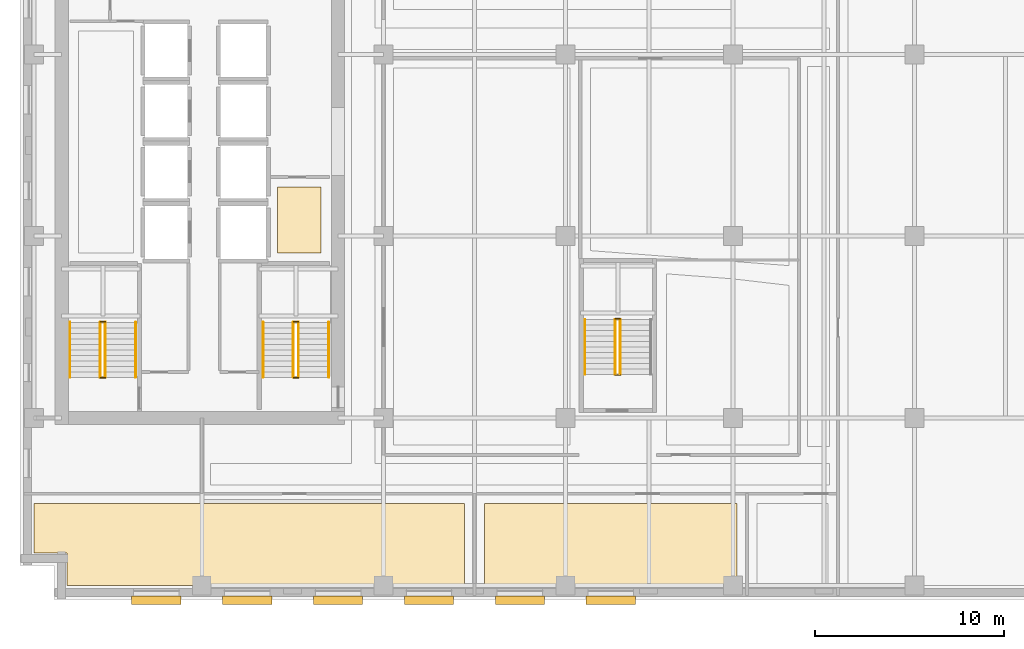
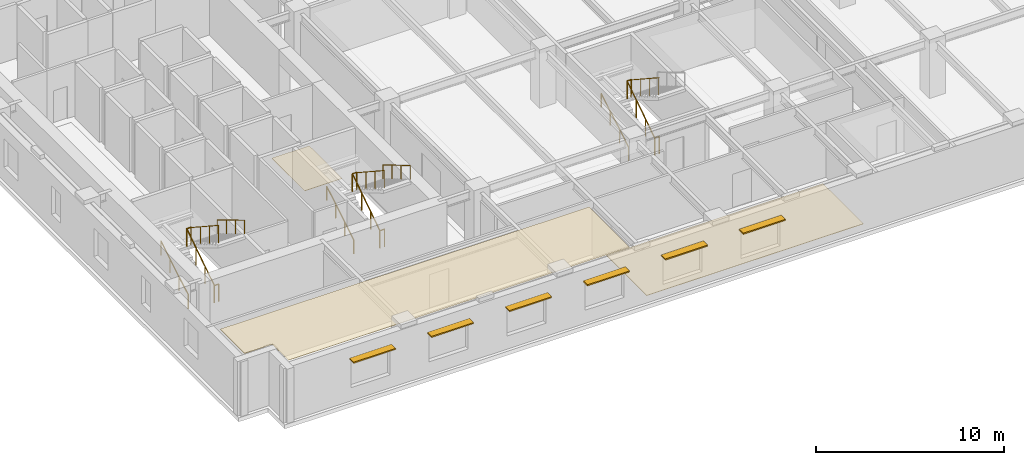
# One storey, part 8 of 12: 17 railings, 6 shading devices, 3 coverings.
"""IFC4 building model written with IfcOpenShell, lengths in metres."""

from ifc_helpers import new_model, si_unit, direction, frame, origin, origin_2d, place, context, subcontext, project, spatial, polyline, rectangle, circle, outline, extrude, material, layer, layer_set, type_object, element, save


model = new_model("IFC4")

# Units and contexts
model_context = context("Model", 3, precision=1e-05, world=origin(), true_north=direction((0.0, 1.0)))
body_context = subcontext(model_context, "Body", "Model", "MODEL_VIEW")
ifc_project = project(units=[si_unit("LENGTHUNIT", "METRE"), si_unit("AREAUNIT", "SQUARE_METRE"), si_unit("VOLUMEUNIT", "CUBIC_METRE"), si_unit("PLANEANGLEUNIT", "RADIAN"), si_unit("MASSUNIT", "GRAM", prefix="KILO")], contexts=[model_context])

# Site, building, storey
site_placement = place(None, origin())
site = spatial("IfcSite", under=ifc_project, at=site_placement, CompositionType="ELEMENT")
building_placement = place(site_placement, origin())
building = spatial("IfcBuilding", under=site, at=building_placement, Name="Norrvale University Quadrangle", CompositionType="ELEMENT")
storey_placement = place(building_placement, frame((0.0, 0.0, 135.60009765625)))
storey = spatial("IfcBuildingStorey", under=building, at=storey_placement, Name="L34", CompositionType="ELEMENT", Elevation=135.60009765625)

# Coverings
ifc_material_1 = material(Name="Perforated Acoustic Mineral Ceiling")
ifc_layer_1 = layer(ifc_material_1, 0.02490234375, Name="Perforated Acoustic Mineral Ceiling")
ifc_layer_set_1 = layer_set([ifc_layer_1], Name="Perforated Acoustic Mineral Ceiling")
covering_type_1 = type_object("IfcCoveringType", Name="Covering Acoustic Ceiling 25", PredefinedType="CEILING", material=ifc_layer_set_1)
covering_1_placement = place(storey_placement, frame((0.0, 0.0, 3.514892578125)))
element("IfcCovering", 1, at=covering_1_placement, inside=storey, type_object=covering_type_1, Name="Acoustic Ceiling RM-L34-S01", PredefinedType="CEILING", context=body_context, shape_type="SweptSolid", body=[
    extrude(outline(polyline([(0.75, 5.070068359375), (23.469970703125, 5.070068359375), (23.469970703125, 0.75), (2.469970703125, 0.75), (2.469970703125, 2.469970703125), (0.75, 2.469970703125), (0.75, 5.070068359375)])), origin(), (0.0, 0.0, 1.0), 0.02490234375),
])
ifc_material_2 = material(Name="Polished Terrazzo Flooring")
ifc_layer_2 = layer(ifc_material_2, 0.02490234375, Name="Polished Terrazzo Flooring")
ifc_layer_set_2 = layer_set([ifc_layer_2], Name="Polished Terrazzo Flooring")
covering_type_2 = type_object("IfcCoveringType", Name="Covering Terrazzo Floor 30", PredefinedType="FLOORING", material=ifc_layer_set_2)
covering_2_placement = place(storey_placement, origin())
element("IfcCovering", 2, at=covering_2_placement, inside=storey, type_object=covering_type_2, Name="Terrazzo Flooring RM-L34-JAN", PredefinedType="FLOORING", context=body_context, shape_type="SweptSolid", body=[
    extrude(outline(polyline([(13.60009765625, 18.300048828125), (13.60009765625, 21.800048828125), (15.89990234375, 21.800048828125), (15.89990234375, 18.300048828125), (13.60009765625, 18.300048828125)])), origin(), (0.0, 0.0, 1.0), 0.02490234375),
])
covering_3_placement = place(storey_placement, origin())
element("IfcCovering", 3, at=covering_3_placement, inside=storey, type_object=covering_type_2, Name="Terrazzo Flooring RM-L34-S02", PredefinedType="FLOORING", context=body_context, shape_type="SweptSolid", body=[
    extrude(outline(polyline([(24.530029296875, 5.070068359375), (37.8701171875, 5.070068359375), (37.8701171875, 0.75), (24.530029296875, 0.75), (24.530029296875, 5.070068359375)])), origin(), (0.0, 0.0, 1.0), 0.02490234375),
])

# Railings
ifc_material_3 = material(Name="Steel 350W Painted Balustrade", Category="steel")
railing_type_1 = type_object("IfcRailingType", Name="Railing Stair Guard 1100", PredefinedType="GUARDRAIL", material=ifc_material_3)
for number, where, name in (
    (4, (4.239990234375, 11.719970703125, 0.0), "Stair Floor Well Guard ST-01 L34"),
    (5, (4.239990234375, 14.679931640625, 1.89990234375), "Stair Mid-Landing Slot Guard ST-01 L34"),
):
    element("IfcRailing", number, at=place(storey_placement, frame(where)), inside=storey, type_object=railing_type_1, Name=name, PredefinedType="GUARDRAIL", context=body_context, shape_type="SweptSolid", body=[
        extrude(circle(Radius=0.02392578125, at=origin_2d()), frame((0.0, 0.0, 1.1259765625), z_axis=(1.0, 0.0, 0.0), x_axis=(0.0, 1.0, 0.0)), (0.0, 0.0, 1.0), 0.27001953125),
        extrude(circle(Radius=0.02099609375, at=origin_2d()), origin(), (0.0, 0.0, 1.0), 1.101806640625),
        extrude(circle(Radius=0.02099609375, at=origin_2d()), frame((0.27001953125, 0.0, 0.0)), (0.0, 0.0, 1.0), 1.101806640625),
    ])
railing_1_placement = place(storey_placement, frame((4.239990234375, 11.75, 0.0)))
element("IfcRailing", 6, at=railing_1_placement, inside=storey, type_object=railing_type_1, Name="Stair Lower Flight Inner Guard ST-01 L34", PredefinedType="GUARDRAIL", context=body_context, shape_type="SweptSolid", body=[
    extrude(circle(Radius=0.02392578125, at=origin_2d()), frame((0.0, 0.0, 1.1259765625), z_axis=(0.0, 0.836465582154, 0.548019461216), x_axis=(-1.0, 0.0, 0.0)), (0.0, 0.0, 1.0), 3.466796875),
    extrude(circle(Radius=0.02099609375, at=origin_2d()), origin(), (0.0, 0.0, 1.0), 1.101806640625),
    extrude(circle(Radius=0.02099609375, at=origin_2d()), frame((0.0, 0.966552734375, 0.63330078125)), (0.0, 0.0, 1.0), 1.101806640625),
    extrude(circle(Radius=0.02099609375, at=origin_2d()), frame((0.0, 1.933349609375, 1.2666015625)), (0.0, 0.0, 1.0), 1.101806640625),
    extrude(circle(Radius=0.02099609375, at=origin_2d()), frame((0.0, 2.89990234375, 1.89990234375)), (0.0, 0.0, 1.0), 1.101806640625),
])
railing_2_placement = place(storey_placement, frame((4.510009765625, 14.64990234375, 1.89990234375)))
element("IfcRailing", 7, at=railing_2_placement, inside=storey, type_object=railing_type_1, Name="Stair Upper Flight Inner Guard ST-01 L34", PredefinedType="GUARDRAIL", context=body_context, shape_type="SweptSolid", body=[
    extrude(circle(Radius=0.02392578125, at=origin_2d()), frame((0.0, 0.0, 1.1259765625), z_axis=(0.0, -0.836465582154, 0.548019461216), x_axis=(1.0, 0.0, 0.0)), (0.0, 0.0, 1.0), 3.466796875),
    extrude(circle(Radius=0.02099609375, at=origin_2d()), origin(), (0.0, 0.0, 1.0), 1.101806640625),
    extrude(circle(Radius=0.02099609375, at=origin_2d()), frame((0.0, -0.966552734375, 0.63330078125)), (0.0, 0.0, 1.0), 1.101806640625),
    extrude(circle(Radius=0.02099609375, at=origin_2d()), frame((0.0, -1.933349609375, 1.2666015625)), (0.0, 0.0, 1.0), 1.101806640625),
    extrude(circle(Radius=0.02099609375, at=origin_2d()), frame((0.0, -2.89990234375, 1.89990234375)), (0.0, 0.0, 1.0), 1.101806640625),
])
for number, where, name in (
    (8, (14.43994140625, 11.719970703125, 0.0), "Stair Floor Well Guard ST-03 L34"),
    (9, (14.43994140625, 14.679931640625, 1.89990234375), "Stair Mid-Landing Slot Guard ST-03 L34"),
):
    element("IfcRailing", number, at=place(storey_placement, frame(where)), inside=storey, type_object=railing_type_1, Name=name, PredefinedType="GUARDRAIL", context=body_context, shape_type="SweptSolid", body=[
        extrude(circle(Radius=0.02392578125, at=origin_2d()), frame((0.0, 0.0, 1.1259765625), z_axis=(1.0, 0.0, 0.0), x_axis=(0.0, 1.0, 0.0)), (0.0, 0.0, 1.0), 0.27001953125),
        extrude(circle(Radius=0.02099609375, at=origin_2d()), origin(), (0.0, 0.0, 1.0), 1.101806640625),
        extrude(circle(Radius=0.02099609375, at=origin_2d()), frame((0.27001953125, 0.0, 0.0)), (0.0, 0.0, 1.0), 1.101806640625),
    ])
railing_3_placement = place(storey_placement, frame((14.43994140625, 11.75, 0.0)))
element("IfcRailing", 10, at=railing_3_placement, inside=storey, type_object=railing_type_1, Name="Stair Lower Flight Inner Guard ST-03 L34", PredefinedType="GUARDRAIL", context=body_context, shape_type="SweptSolid", body=[
    extrude(circle(Radius=0.02392578125, at=origin_2d()), frame((0.0, 0.0, 1.1259765625), z_axis=(0.0, 0.836465582154, 0.548019461216), x_axis=(-1.0, 0.0, 0.0)), (0.0, 0.0, 1.0), 3.466796875),
    extrude(circle(Radius=0.02099609375, at=origin_2d()), origin(), (0.0, 0.0, 1.0), 1.101806640625),
    extrude(circle(Radius=0.02099609375, at=origin_2d()), frame((0.0, 0.966552734375, 0.63330078125)), (0.0, 0.0, 1.0), 1.101806640625),
    extrude(circle(Radius=0.02099609375, at=origin_2d()), frame((0.0, 1.933349609375, 1.2666015625)), (0.0, 0.0, 1.0), 1.101806640625),
    extrude(circle(Radius=0.02099609375, at=origin_2d()), frame((0.0, 2.89990234375, 1.89990234375)), (0.0, 0.0, 1.0), 1.101806640625),
])
railing_4_placement = place(storey_placement, frame((14.7099609375, 14.64990234375, 1.89990234375)))
element("IfcRailing", 11, at=railing_4_placement, inside=storey, type_object=railing_type_1, Name="Stair Upper Flight Inner Guard ST-03 L34", PredefinedType="GUARDRAIL", context=body_context, shape_type="SweptSolid", body=[
    extrude(circle(Radius=0.02392578125, at=origin_2d()), frame((0.0, 0.0, 1.1259765625), z_axis=(0.0, -0.836465582154, 0.548019461216), x_axis=(1.0, 0.0, 0.0)), (0.0, 0.0, 1.0), 3.466796875),
    extrude(circle(Radius=0.02099609375, at=origin_2d()), origin(), (0.0, 0.0, 1.0), 1.101806640625),
    extrude(circle(Radius=0.02099609375, at=origin_2d()), frame((0.0, -0.966552734375, 0.63330078125)), (0.0, 0.0, 1.0), 1.101806640625),
    extrude(circle(Radius=0.02099609375, at=origin_2d()), frame((0.0, -1.933349609375, 1.2666015625)), (0.0, 0.0, 1.0), 1.101806640625),
    extrude(circle(Radius=0.02099609375, at=origin_2d()), frame((0.0, -2.89990234375, 1.89990234375)), (0.0, 0.0, 1.0), 1.101806640625),
])
for number, where, name in (
    (12, (31.43994140625, 11.8701171875, 0.0), "Stair Floor Well Guard ST-04 L34"),
    (13, (31.43994140625, 14.830078125, 1.89990234375), "Stair Mid-Landing Slot Guard ST-04 L34"),
):
    element("IfcRailing", number, at=place(storey_placement, frame(where)), inside=storey, type_object=railing_type_1, Name=name, PredefinedType="GUARDRAIL", context=body_context, shape_type="SweptSolid", body=[
        extrude(circle(Radius=0.02392578125, at=origin_2d()), frame((0.0, 0.0, 1.1259765625), z_axis=(1.0, 0.0, 0.0), x_axis=(0.0, 1.0, 0.0)), (0.0, 0.0, 1.0), 0.27001953125),
        extrude(circle(Radius=0.02099609375, at=origin_2d()), origin(), (0.0, 0.0, 1.0), 1.101806640625),
        extrude(circle(Radius=0.02099609375, at=origin_2d()), frame((0.27001953125, 0.0, 0.0)), (0.0, 0.0, 1.0), 1.101806640625),
    ])
railing_5_placement = place(storey_placement, frame((31.43994140625, 11.89990234375, 0.0)))
element("IfcRailing", 14, at=railing_5_placement, inside=storey, type_object=railing_type_1, Name="Stair Lower Flight Inner Guard ST-04 L34", PredefinedType="GUARDRAIL", context=body_context, shape_type="SweptSolid", body=[
    extrude(circle(Radius=0.02392578125, at=origin_2d()), frame((0.0, 0.0, 1.1259765625), z_axis=(0.0, 0.836486729621, 0.547987181573), x_axis=(-1.0, 0.0, 0.0)), (0.0, 0.0, 1.0), 3.467041015625),
    extrude(circle(Radius=0.02099609375, at=origin_2d()), origin(), (0.0, 0.0, 1.0), 1.101806640625),
    extrude(circle(Radius=0.02099609375, at=origin_2d()), frame((0.0, 0.966796875, 0.63330078125)), (0.0, 0.0, 1.0), 1.101806640625),
    extrude(circle(Radius=0.02099609375, at=origin_2d()), frame((0.0, 1.933349609375, 1.2666015625)), (0.0, 0.0, 1.0), 1.101806640625),
    extrude(circle(Radius=0.02099609375, at=origin_2d()), frame((0.0, 2.900146484375, 1.89990234375)), (0.0, 0.0, 1.0), 1.101806640625),
])
railing_6_placement = place(storey_placement, frame((31.7099609375, 14.800048828125, 1.89990234375)))
element("IfcRailing", 15, at=railing_6_placement, inside=storey, type_object=railing_type_1, Name="Stair Upper Flight Inner Guard ST-04 L34", PredefinedType="GUARDRAIL", context=body_context, shape_type="SweptSolid", body=[
    extrude(circle(Radius=0.02392578125, at=origin_2d()), frame((0.0, 0.0, 1.1259765625), z_axis=(0.0, -0.836486729621, 0.547987181573), x_axis=(1.0, 0.0, 0.0)), (0.0, 0.0, 1.0), 3.467041015625),
    extrude(circle(Radius=0.02099609375, at=origin_2d()), origin(), (0.0, 0.0, 1.0), 1.101806640625),
    extrude(circle(Radius=0.02099609375, at=origin_2d()), frame((0.0, -0.966796875, 0.63330078125)), (0.0, 0.0, 1.0), 1.101806640625),
    extrude(circle(Radius=0.02099609375, at=origin_2d()), frame((0.0, -1.933349609375, 1.2666015625)), (0.0, 0.0, 1.0), 1.101806640625),
    extrude(circle(Radius=0.02099609375, at=origin_2d()), frame((0.0, -2.900146484375, 1.89990234375)), (0.0, 0.0, 1.0), 1.101806640625),
])
ifc_material_4 = material(Name="Stainless Steel 316L Handrail", Category="steel")
railing_type_2 = type_object("IfcRailingType", Name="Railing Stair Handrail 920", PredefinedType="HANDRAIL", material=ifc_material_4)
railing_7_placement = place(storey_placement, frame((2.639892578125, 11.75, 0.172607421875)))
element("IfcRailing", 16, at=railing_7_placement, inside=storey, type_object=railing_type_2, Name="Stair Lower Flight Handrail ST-01 L34", PredefinedType="HANDRAIL", context=body_context, shape_type="SweptSolid", body=[
    extrude(circle(Radius=0.02392578125, at=origin_2d()), frame((0.0, 0.0, 0.89599609375), z_axis=(0.0, 0.859141464434, 0.511738159696), x_axis=(-1.0, 0.0, 0.0)), (0.0, 0.0, 1.0), 3.375244140625),
    extrude(circle(Radius=0.02099609375, at=origin_2d()), origin(), (0.0, 0.0, 1.0), 0.871826171875),
    extrude(circle(Radius=0.02099609375, at=origin_2d()), frame((0.0, 0.966552734375, 0.57568359375)), (0.0, 0.0, 1.0), 0.871826171875),
    extrude(circle(Radius=0.02099609375, at=origin_2d()), frame((0.0, 1.933349609375, 1.151611328125)), (0.0, 0.0, 1.0), 0.871826171875),
    extrude(circle(Radius=0.02099609375, at=origin_2d()), frame((0.0, 2.89990234375, 1.727294921875)), (0.0, 0.0, 1.0), 0.871826171875),
])
railing_8_placement = place(storey_placement, frame((6.110107421875, 14.64990234375, 2.072509765625)))
element("IfcRailing", 17, at=railing_8_placement, inside=storey, type_object=railing_type_2, Name="Stair Upper Flight Handrail ST-01 L34", PredefinedType="HANDRAIL", context=body_context, shape_type="SweptSolid", body=[
    extrude(circle(Radius=0.02392578125, at=origin_2d()), frame((0.0, 0.0, 0.89599609375), z_axis=(0.0, -0.859141464434, 0.511738159696), x_axis=(1.0, 0.0, 0.0)), (0.0, 0.0, 1.0), 3.375244140625),
    extrude(circle(Radius=0.02099609375, at=origin_2d()), origin(), (0.0, 0.0, 1.0), 0.871826171875),
    extrude(circle(Radius=0.02099609375, at=origin_2d()), frame((0.0, -0.966552734375, 0.57568359375)), (0.0, 0.0, 1.0), 0.871826171875),
    extrude(circle(Radius=0.02099609375, at=origin_2d()), frame((0.0, -1.933349609375, 1.151611328125)), (0.0, 0.0, 1.0), 0.871826171875),
    extrude(circle(Radius=0.02099609375, at=origin_2d()), frame((0.0, -2.89990234375, 1.727294921875)), (0.0, 0.0, 1.0), 0.871826171875),
])
railing_9_placement = place(storey_placement, frame((12.840087890625, 11.75, 0.172607421875)))
element("IfcRailing", 18, at=railing_9_placement, inside=storey, type_object=railing_type_2, Name="Stair Lower Flight Handrail ST-03 L34", PredefinedType="HANDRAIL", context=body_context, shape_type="SweptSolid", body=[
    extrude(circle(Radius=0.02392578125, at=origin_2d()), frame((0.0, 0.0, 0.89599609375), z_axis=(0.0, 0.859141464434, 0.511738159696), x_axis=(-1.0, 0.0, 0.0)), (0.0, 0.0, 1.0), 3.375244140625),
    extrude(circle(Radius=0.02099609375, at=origin_2d()), origin(), (0.0, 0.0, 1.0), 0.871826171875),
    extrude(circle(Radius=0.02099609375, at=origin_2d()), frame((0.0, 0.966552734375, 0.57568359375)), (0.0, 0.0, 1.0), 0.871826171875),
    extrude(circle(Radius=0.02099609375, at=origin_2d()), frame((0.0, 1.933349609375, 1.151611328125)), (0.0, 0.0, 1.0), 0.871826171875),
    extrude(circle(Radius=0.02099609375, at=origin_2d()), frame((0.0, 2.89990234375, 1.727294921875)), (0.0, 0.0, 1.0), 0.871826171875),
])
railing_10_placement = place(storey_placement, frame((16.31005859375, 14.64990234375, 2.072509765625)))
element("IfcRailing", 19, at=railing_10_placement, inside=storey, type_object=railing_type_2, Name="Stair Upper Flight Handrail ST-03 L34", PredefinedType="HANDRAIL", context=body_context, shape_type="SweptSolid", body=[
    extrude(circle(Radius=0.02392578125, at=origin_2d()), frame((0.0, 0.0, 0.89599609375), z_axis=(0.0, -0.859141464434, 0.511738159696), x_axis=(1.0, 0.0, 0.0)), (0.0, 0.0, 1.0), 3.375244140625),
    extrude(circle(Radius=0.02099609375, at=origin_2d()), origin(), (0.0, 0.0, 1.0), 0.871826171875),
    extrude(circle(Radius=0.02099609375, at=origin_2d()), frame((0.0, -0.966552734375, 0.57568359375)), (0.0, 0.0, 1.0), 0.871826171875),
    extrude(circle(Radius=0.02099609375, at=origin_2d()), frame((0.0, -1.933349609375, 1.151611328125)), (0.0, 0.0, 1.0), 0.871826171875),
    extrude(circle(Radius=0.02099609375, at=origin_2d()), frame((0.0, -2.89990234375, 1.727294921875)), (0.0, 0.0, 1.0), 0.871826171875),
])
railing_11_placement = place(storey_placement, frame((29.840087890625, 11.89990234375, 0.172607421875)))
element("IfcRailing", 20, at=railing_11_placement, inside=storey, type_object=railing_type_2, Name="Stair Lower Flight Handrail ST-04 L34", PredefinedType="HANDRAIL", context=body_context, shape_type="SweptSolid", body=[
    extrude(circle(Radius=0.02392578125, at=origin_2d()), frame((0.0, 0.0, 0.89599609375), z_axis=(0.0, 0.859160404282, 0.51170636083), x_axis=(-1.0, 0.0, 0.0)), (0.0, 0.0, 1.0), 3.37548828125),
    extrude(circle(Radius=0.02099609375, at=origin_2d()), origin(), (0.0, 0.0, 1.0), 0.871826171875),
    extrude(circle(Radius=0.02099609375, at=origin_2d()), frame((0.0, 0.966796875, 0.57568359375)), (0.0, 0.0, 1.0), 0.871826171875),
    extrude(circle(Radius=0.02099609375, at=origin_2d()), frame((0.0, 1.933349609375, 1.151611328125)), (0.0, 0.0, 1.0), 0.871826171875),
    extrude(circle(Radius=0.02099609375, at=origin_2d()), frame((0.0, 2.900146484375, 1.727294921875)), (0.0, 0.0, 1.0), 0.871826171875),
])

# Shading devices
ifc_material_5 = material(Name="Anodized Aluminium 6063-T6", Category="aluminium")
ifc_layer_3 = layer(ifc_material_5, 0.080078125, Name="Anodized Aluminium 6063-T6")
ifc_layer_set_3 = layer_set([ifc_layer_3], Name="Anodized Aluminium 6063-T6")
shading_device_type = type_object("IfcShadingDeviceType", Name="Shade South Sunshade 450", PredefinedType="USERDEFINED", material=ifc_layer_set_3)
for number, where, z_axis, x_axis, name in (
    (21, (7.199951171875, -0.02001953125, 2.719970703125), (0.0, 0.0, 1.0), (1.0, 0.0, 0.0), "South Solar Brise-Soleil 25"),
    (22, (12.0, -0.02001953125, 2.719970703125), (0.0, 0.0, 1.0), (1.0, 0.0, 0.0), "South Solar Brise-Soleil 26"),
    (23, (16.800048828125, -0.02001953125, 2.719970703125), (0.0, 0.0, 1.0), (1.0, 0.0, 0.0), "South Solar Brise-Soleil 27"),
    (24, (21.60009765625, -0.02001953125, 2.719970703125), (0.0, 0.0, 1.0), (1.0, 0.0, 0.0), "South Solar Brise-Soleil 28"),
    (25, (26.39990234375, -0.02001953125, 2.719970703125), (0.0, 0.0, 1.0), (1.0, 0.0, 0.0), "South Solar Brise-Soleil 29"),
    (26, (31.199951171875, -0.02001953125, 2.719970703125), (0.0, 0.0, 1.0), (1.0, 0.0, 0.0), "South Solar Brise-Soleil 30"),
):
    element("IfcShadingDevice", number, at=place(storey_placement, frame(where, z_axis=z_axis, x_axis=x_axis)), inside=storey, type_object=shading_device_type, Name=name, ObjectType="SUNSHADE", PredefinedType="USERDEFINED", context=body_context, shape_type="SweptSolid", body=[
        extrude(rectangle(XDim=2.60009765625, YDim=0.449951171875, at=origin_2d()), origin(), (0.0, 0.0, 1.0), 0.080078125),
    ])

save(model, "model.ifc")
